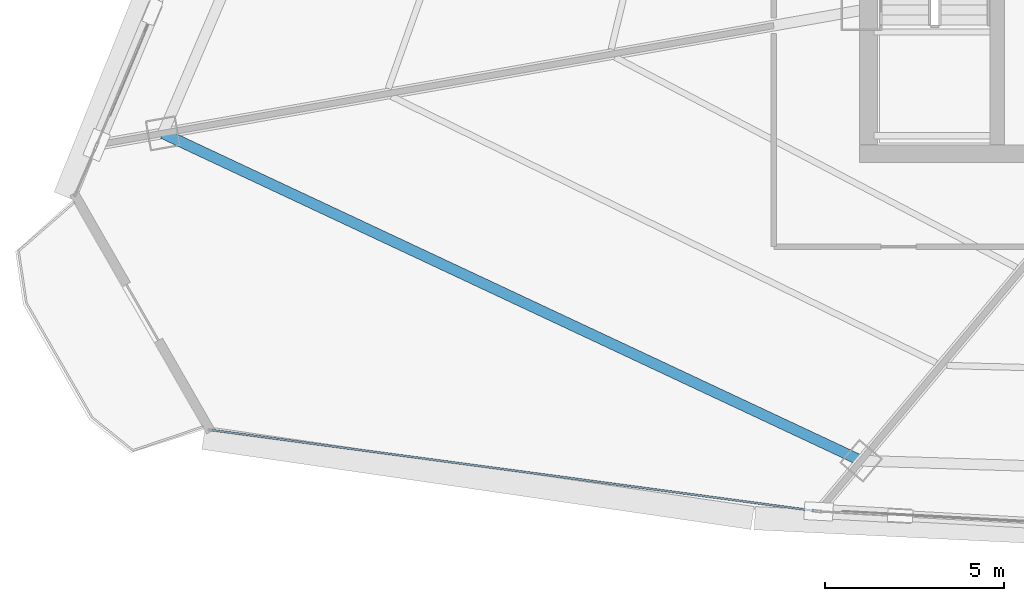
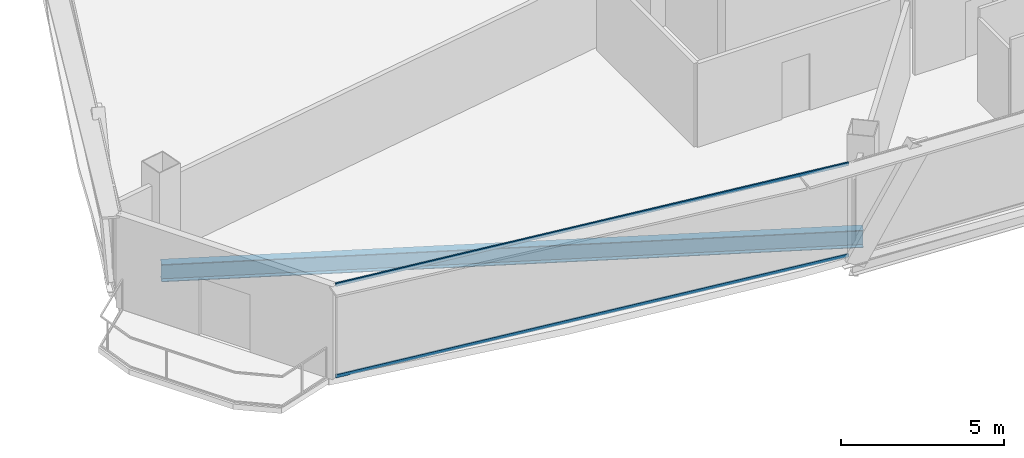
# One storey, part 3 of 37: 2 members, 1 beam, 1 element without a shape of its own.
"""IFC4 building model written with IfcOpenShell, lengths in metres."""

from ifc_helpers import new_model, si_unit, direction, frame, origin, origin_2d, place, context, subcontext, project, spatial, hollow_rectangle, i_section, extrude, source, transform, mapped, material, layer, layer_set, material_profile, profile_set, type_object, element, aggregate, save


model = new_model("IFC4")

# Units and contexts
model_context = context("Model", 3, precision=1e-05, world=origin(), true_north=direction((0.0, 1.0)))
body_context = subcontext(model_context, "Body", "Model", "MODEL_VIEW")
ifc_project = project(units=[si_unit("LENGTHUNIT", "METRE"), si_unit("AREAUNIT", "SQUARE_METRE"), si_unit("VOLUMEUNIT", "CUBIC_METRE"), si_unit("PLANEANGLEUNIT", "RADIAN"), si_unit("MASSUNIT", "GRAM", prefix="KILO"), si_unit("THERMODYNAMICTEMPERATUREUNIT", "KELVIN"), si_unit("POWERUNIT", "WATT")], contexts=[model_context])

# Site, building, storey
site_placement = place(None, origin())
site = spatial("IfcSite", under=ifc_project, at=site_placement, CompositionType="ELEMENT")
building_placement = place(site_placement, origin())
building = spatial("IfcBuilding", under=site, at=building_placement, Name="Yunzhuo Pagoda Commons", CompositionType="ELEMENT")
storey_placement = place(building_placement, frame((0.0, 0.0, 255.719970703125)))
storey = spatial("IfcBuildingStorey", under=building, at=storey_placement, Name="L64", CompositionType="ELEMENT", Elevation=255.719970703125)

# Beam
ifc_material_1 = material(Name="Structural steel Q355B", Category="steel")
ifc_material_profile_1 = material_profile(ifc_material_1, i_section(OverallWidth=0.300048828125, OverallDepth=0.64990234375, WebThickness=0.012939453125, FlangeThickness=0.02197265625, at=origin_2d()), Name="Structural steel Q355B")
ifc_profile_set_1 = profile_set([ifc_material_profile_1], Name="Structural steel Q355B")
beam_type = type_object("IfcBeamType", Name="B-RG2 Beam HN 650x300x13x22", PredefinedType="BEAM", material=ifc_profile_set_1)
shared_shape_1 = source(origin(), body_context, "Body", "SweptSolid", [
    extrude(i_section(OverallWidth=0.300048828125, OverallDepth=0.64990234375, WebThickness=0.012939453125, FlangeThickness=0.02197265625, at=origin_2d()), origin(), (0.0, 0.0, 1.0), 21.56689453125),
])
beam_placement = place(storey_placement, frame((16.06591796875, 28.069091796875, -0.5849609375), z_axis=(0.905424265365, -0.424507832304, 0.0), x_axis=(0.424507832304, 0.905424265365, 0.0)))
element("IfcBeam", 1, at=beam_placement, inside=storey, type_object=beam_type, Name="L64 column-ring beam 12", PredefinedType="BEAM", context=body_context, shape_type="MappedRepresentation", body=[
    mapped(shared_shape_1, transform((0.0, 0.0, 0.0), scale=1.0)),
])

# Curtain wall, members
ifc_material_2 = material(Name="Anodized aluminium 6063-T6", Category="aluminium")
ifc_layer = layer(ifc_material_2, 0.139892578125)
ifc_layer_set = layer_set([ifc_layer], Name="Anodized aluminium 6063-T6")
curtain_wall_type = type_object("IfcCurtainWallType", Name="CW-HI High-Zone Ribbon Curtain Wall", PredefinedType="NOTDEFINED", material=ifc_layer_set)
curtain_wall_placement = place(storey_placement, origin())
curtain_wall = element("IfcCurtainWall", 2, at=curtain_wall_placement, inside=storey, type_object=curtain_wall_type, Name="L64 curtain wall CW-L64-F1B1", PredefinedType="NOTDEFINED")
ifc_material_profile_2 = material_profile(ifc_material_2, hollow_rectangle(XDim=0.054931640625, YDim=0.1201171875, WallThickness=0.00341796875, at=origin_2d()), Name="Anodized aluminium 6063-T6")
ifc_profile_set_2 = profile_set([ifc_material_profile_2], Name="Anodized aluminium 6063-T6")
member_type = type_object("IfcMemberType", Name="CW-HI-T Transom RHS 120x55x3.5", PredefinedType="USERDEFINED", material=ifc_profile_set_2)
shared_shape_2 = source(origin(), body_context, "Body", "SweptSolid", [
    extrude(hollow_rectangle(XDim=0.054931640625, YDim=0.1201171875, WallThickness=0.00341796875, at=origin_2d()), origin(), (0.0, 0.0, 1.0), 16.98193359375),
])
member_1_placement = place(storey_placement, frame((17.43896484375, 19.7685546875, 0.027587890625), z_axis=(0.991158834011, -0.132680690992, 0.0), x_axis=(0.132680690992, 0.991158834011, 0.0)))
member_1 = element("IfcMember", 3, at=member_1_placement, type_object=member_type, Name="CW transom 1.1", ObjectType="TRANSOM", PredefinedType="USERDEFINED", context=body_context, shape_type="MappedRepresentation", body=[
    mapped(shared_shape_2, transform((0.0, 0.0, 0.0), scale=1.0)),
])
member_2_placement = place(storey_placement, frame((17.43896484375, 19.7685546875, 3.442626953125), z_axis=(0.991158834011, -0.132680690992, 0.0), x_axis=(0.132680690992, 0.991158834011, 0.0)))
member_2 = element("IfcMember", 4, at=member_2_placement, type_object=member_type, Name="CW transom 1.2", ObjectType="TRANSOM", PredefinedType="USERDEFINED", context=body_context, shape_type="MappedRepresentation", body=[
    mapped(shared_shape_2, transform((0.0, 0.0, 0.0), scale=1.0)),
])
aggregate(curtain_wall, [member_1, member_2])

save(model, "model.ifc")
